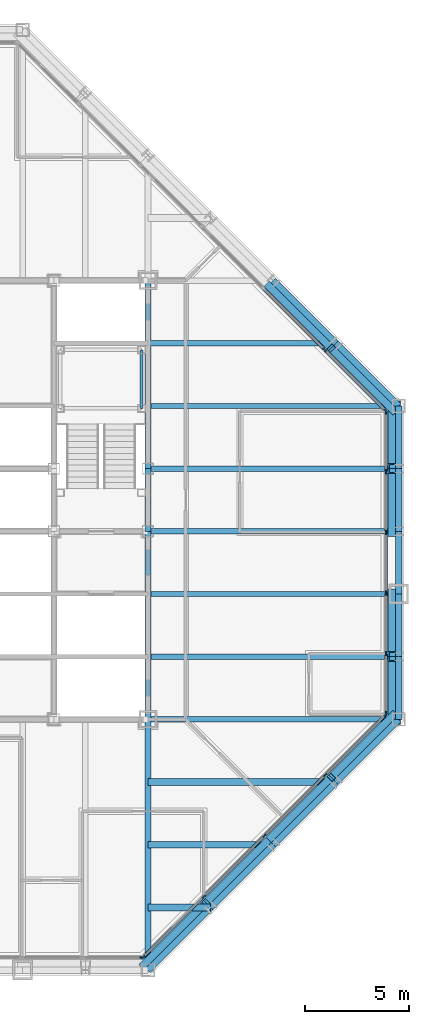
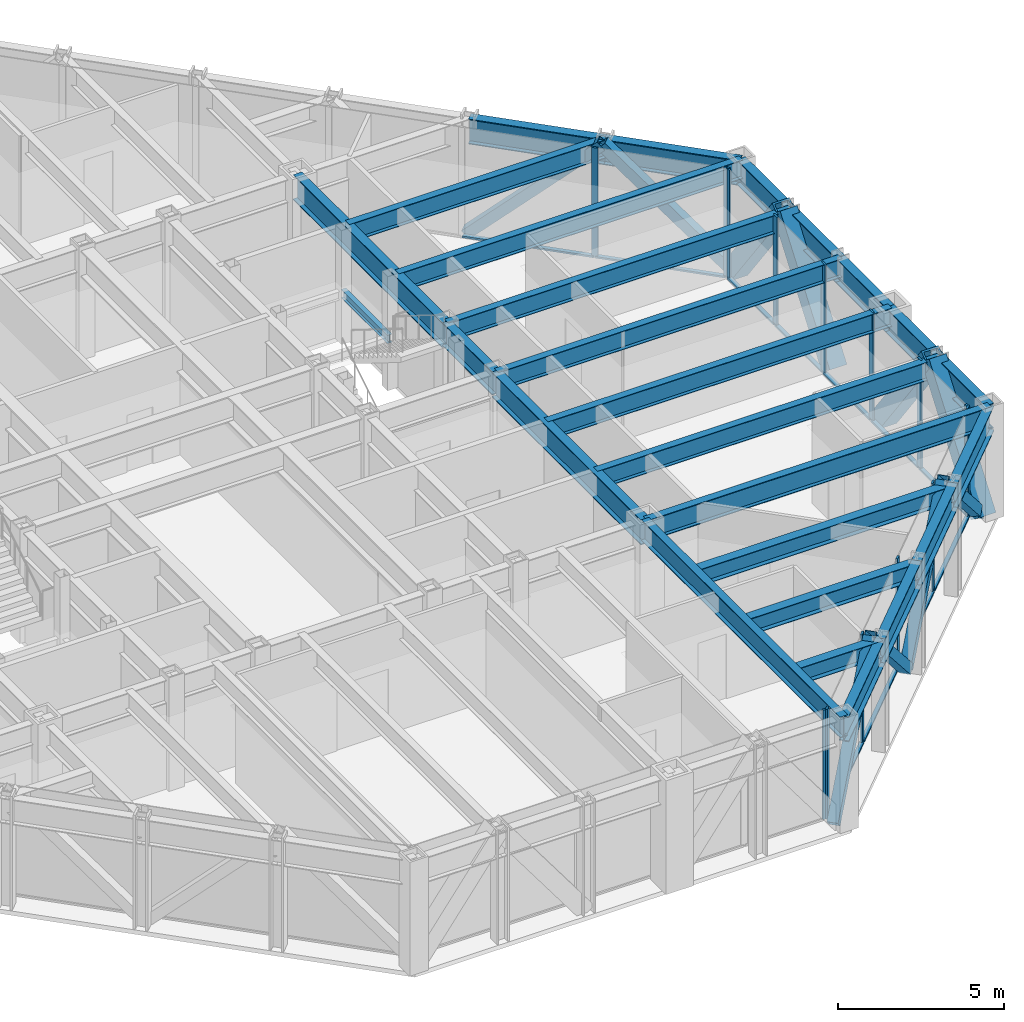
# One storey, part 7 of 16: 35 members, 26 beams, 4 elements without a shape of their own.
"""IFC4 building model written with IfcOpenShell, lengths in metres."""

from ifc_helpers import new_model, si_unit, direction, frame, origin, origin_2d, place, context, subcontext, project, spatial, rectangle, hollow_rectangle, i_section, extrude, material, layer, layer_set, material_profile, profile_set, type_object, element, aggregate, save


model = new_model("IFC4")

# Units and contexts
model_context = context("Model", 3, precision=1e-05, world=origin(), true_north=direction((0.0, 1.0)))
body_context = subcontext(model_context, "Body", "Model", "MODEL_VIEW")
ifc_project = project(units=[si_unit("LENGTHUNIT", "METRE"), si_unit("AREAUNIT", "SQUARE_METRE"), si_unit("VOLUMEUNIT", "CUBIC_METRE"), si_unit("PLANEANGLEUNIT", "RADIAN"), si_unit("MASSUNIT", "GRAM", prefix="KILO")], contexts=[model_context])

# Site, building, storey
site_placement = place(None, origin())
site = spatial("IfcSite", under=ifc_project, at=site_placement, CompositionType="ELEMENT")
building_placement = place(site_placement, origin())
building = spatial("IfcBuilding", under=site, at=building_placement, Name="Chuquiago Exchange Tower", CompositionType="ELEMENT")
storey_placement = place(building_placement, frame((0.0, 0.0, 234.89990234375)))
storey = spatial("IfcBuildingStorey", under=building, at=storey_placement, Name="L52", CompositionType="ELEMENT", Elevation=234.89990234375)

# Beams
ifc_material_1 = material(Name="Steel ASTM A992", Category="steel")
ifc_material_profile_1 = material_profile(ifc_material_1, i_section(OverallWidth=0.25390625, OverallDepth=0.683349609375, WebThickness=0.012451171875, FlangeThickness=0.018798828125, at=origin_2d()), Name="W27X94")
ifc_profile_set_1 = profile_set([ifc_material_profile_1], Name="Steel ASTM A992")
beam_type_1 = type_object("IfcBeamType", Name="B1 W27X94", PredefinedType="BEAM", material=ifc_profile_set_1)
for number, where, z_axis, x_axis, name in (
    (1, (33.0, 15.0, 3.698486328125), (1.0, 0.0, 0.0), (0.0, 1.0, 0.0), "FB-L53-infill-33_15-45_15-0"),
    (2, (33.0, 18.0, 3.698486328125), (1.0, 0.0, 0.0), (0.0, 1.0, 0.0), "FB-L53-infill-33_18-45_18-0"),
    (3, (33.0, 21.0, 3.698486328125), (1.0, 0.0, 0.0), (0.0, 1.0, 0.0), "FB-L53-infill-33_21-45_21-0"),
    (4, (33.0, 24.0, 3.698486328125), (1.0, 0.0, 0.0), (0.0, 1.0, 0.0), "FB-L53-infill-33_24-45_24-0"),
    (5, (33.0, 27.0, 3.698486328125), (1.0, 0.0, 0.0), (0.0, 1.0, 0.0), "FB-L53-infill-33_27-45_27-0"),
):
    element("IfcBeam", number, at=place(storey_placement, frame(where, z_axis=z_axis, x_axis=x_axis)), inside=storey, type_object=beam_type_1, Name=name, PredefinedType="BEAM", context=body_context, shape_type="SweptSolid", body=[
        extrude(i_section(OverallWidth=0.25390625, OverallDepth=0.683349609375, WebThickness=0.012451171875, FlangeThickness=0.018798828125, at=origin_2d()), origin(), (0.0, 0.0, 1.0), 12.0),
    ])
beam_1_placement = place(storey_placement, frame((33.0, 30.0, 3.698486328125), z_axis=(1.0, 0.0, 0.0), x_axis=(0.0, 1.0, 0.0)))
element("IfcBeam", 6, at=beam_1_placement, inside=storey, type_object=beam_type_1, Name="FB-L53-infill-33_30-42_30-0", PredefinedType="BEAM", context=body_context, shape_type="SweptSolid", body=[
    extrude(i_section(OverallWidth=0.25390625, OverallDepth=0.683349609375, WebThickness=0.012451171875, FlangeThickness=0.018798828125, at=origin_2d()), origin(), (0.0, 0.0, 1.0), 9.0),
])
ifc_material_2 = material(Name="Steel ASTM A992", Category="steel")
ifc_material_profile_2 = material_profile(ifc_material_2, i_section(OverallWidth=0.307373046875, OverallDepth=0.927001953125, WebThickness=0.01953125, FlangeThickness=0.031982421875, at=origin_2d()), Name="W36X194")
ifc_profile_set_2 = profile_set([ifc_material_profile_2], Name="Steel ASTM A992")
beam_type_2 = type_object("IfcBeamType", Name="B10 W36X194", PredefinedType="BEAM", material=ifc_profile_set_2)
for number, where, z_axis, x_axis, name in (
    (7, (33.0, 12.0, 3.576416015625), (0.0, 1.0, 0.0), (-1.0, 0.0, 0.0), "CB-L53-33_12-33_21"),
    (8, (33.0, 24.0, 3.576416015625), (0.0, 1.0, 0.0), (-1.0, 0.0, 0.0), "CB-L53-33_24-33_33"),
):
    element("IfcBeam", number, at=place(storey_placement, frame(where, z_axis=z_axis, x_axis=x_axis)), inside=storey, type_object=beam_type_2, Name=name, PredefinedType="BEAM", context=body_context, shape_type="SweptSolid", body=[
        extrude(i_section(OverallWidth=0.307373046875, OverallDepth=0.927001953125, WebThickness=0.01953125, FlangeThickness=0.031982421875, at=origin_2d()), origin(), (0.0, 0.0, 1.0), 9.0),
    ])
ifc_material_3 = material(Name="Steel ASTM A992", Category="steel")
ifc_material_profile_3 = material_profile(ifc_material_3, i_section(OverallWidth=0.3251953125, OverallDepth=0.612060546875, WebThickness=0.0126953125, FlangeThickness=0.01904296875, at=origin_2d()), Name="W24X104")
ifc_profile_set_3 = profile_set([ifc_material_profile_3], Name="Steel ASTM A992")
beam_type_3 = type_object("IfcBeamType", Name="B2 W24X104", PredefinedType="BEAM", material=ifc_profile_set_3)
beam_2_placement = place(storey_placement, frame((33.0, 3.0, 3.73388671875), z_axis=(1.0, 0.0, 0.0), x_axis=(0.0, 1.0, 0.0)))
element("IfcBeam", 9, at=beam_2_placement, inside=storey, type_object=beam_type_3, Name="FB-L53-corner-33_3-36_3-0", PredefinedType="BEAM", context=body_context, shape_type="SweptSolid", body=[
    extrude(i_section(OverallWidth=0.3251953125, OverallDepth=0.612060546875, WebThickness=0.0126953125, FlangeThickness=0.01904296875, at=origin_2d()), origin(), (0.0, 0.0, 1.0), 3.0),
])
beam_3_placement = place(storey_placement, frame((33.0, 6.0, 3.73388671875), z_axis=(1.0, 0.0, 0.0), x_axis=(0.0, 1.0, 0.0)))
element("IfcBeam", 10, at=beam_3_placement, inside=storey, type_object=beam_type_3, Name="FB-L53-corner-33_6-39_6-0", PredefinedType="BEAM", context=body_context, shape_type="SweptSolid", body=[
    extrude(i_section(OverallWidth=0.3251953125, OverallDepth=0.612060546875, WebThickness=0.0126953125, FlangeThickness=0.01904296875, at=origin_2d()), origin(), (0.0, 0.0, 1.0), 6.0),
])
beam_4_placement = place(storey_placement, frame((33.0, 9.0, 3.73388671875), z_axis=(1.0, 0.0, 0.0), x_axis=(0.0, 1.0, 0.0)))
element("IfcBeam", 11, at=beam_4_placement, inside=storey, type_object=beam_type_3, Name="FB-L53-corner-33_9-42_9-0", PredefinedType="BEAM", context=body_context, shape_type="SweptSolid", body=[
    extrude(i_section(OverallWidth=0.3251953125, OverallDepth=0.612060546875, WebThickness=0.0126953125, FlangeThickness=0.01904296875, at=origin_2d()), origin(), (0.0, 0.0, 1.0), 9.0),
])
ifc_material_4 = material(Name="Steel ASTM A992", Category="steel")
ifc_material_profile_4 = material_profile(ifc_material_4, i_section(OverallWidth=0.2919921875, OverallDepth=0.8583984375, WebThickness=0.01708984375, FlangeThickness=0.031005859375, at=origin_2d()), Name="W33X169")
ifc_profile_set_4 = profile_set([ifc_material_profile_4], Name="Steel ASTM A992")
beam_type_4 = type_object("IfcBeamType", Name="B3 W33X169", PredefinedType="BEAM", material=ifc_profile_set_4)
beam_5_placement = place(storey_placement, frame((33.0, 21.0, 3.61083984375), z_axis=(0.0, 1.0, 0.0), x_axis=(-1.0, 0.0, 0.0)))
element("IfcBeam", 12, at=beam_5_placement, inside=storey, type_object=beam_type_4, Name="CB-L53-33_21-33_24", PredefinedType="BEAM", context=body_context, shape_type="SweptSolid", body=[
    extrude(i_section(OverallWidth=0.2919921875, OverallDepth=0.8583984375, WebThickness=0.01708984375, FlangeThickness=0.031005859375, at=origin_2d()), origin(), (0.0, 0.0, 1.0), 3.0),
])

# Curtain wall, member
ifc_material_5 = material(Name="Aluminium curtain wall system", Category="aluminium")
ifc_layer_1 = layer(ifc_material_5, 0.22509765625)
ifc_layer_set_1 = layer_set([ifc_layer_1], Name="CW2 office curtain wall")
curtain_wall_type_1 = type_object("IfcCurtainWallType", Name="CW2 office curtain wall", PredefinedType="NOTDEFINED", material=ifc_layer_set_1)
curtain_wall_1_placement = place(storey_placement, origin())
curtain_wall_1 = element("IfcCurtainWall", 13, at=curtain_wall_1_placement, inside=storey, type_object=curtain_wall_type_1, Name="CW2 curtain wall L52", PredefinedType="NOTDEFINED")
ifc_material_6 = material(Name="Aluminium mullion, pale anodised", Category="aluminium")
ifc_material_profile_5 = material_profile(ifc_material_6, rectangle(XDim=0.06494140625, YDim=0.22509765625, at=origin_2d()), Name="AL 65x225")
ifc_profile_set_5 = profile_set([ifc_material_profile_5], Name="Aluminium mullion, pale anodised")
member_type_1 = type_object("IfcMemberType", Name="CW2-M mullion 65x225", PredefinedType="MULLION", material=ifc_profile_set_5)
member_1_placement = place(storey_placement, frame((32.718994140625, 0.60009765625, 0.0), z_axis=(0.0, 0.0, 1.0), x_axis=(0.0, 1.0, 0.0)))
member_1 = element("IfcMember", 14, at=member_1_placement, type_object=member_type_1, Name="CW2 mullion 6", PredefinedType="MULLION", context=body_context, shape_type="SweptSolid", body=[
    extrude(rectangle(XDim=0.06494140625, YDim=0.22509765625, at=origin_2d()), origin(), (0.0, 0.0, 1.0), 4.0400390625),
])
aggregate(curtain_wall_1, [member_1])

# Curtain wall, members
curtain_wall_2_placement = place(storey_placement, origin())
curtain_wall_2 = element("IfcCurtainWall", 15, at=curtain_wall_2_placement, inside=storey, type_object=curtain_wall_type_1, Name="CW2 curtain wall L52", PredefinedType="NOTDEFINED")
member_2_placement = place(storey_placement, frame((44.39990234375, 12.281005859375, 0.0), z_axis=(0.0, 0.0, 1.0), x_axis=(-1.0, 0.0, 0.0)))
member_2 = element("IfcMember", 16, at=member_2_placement, type_object=member_type_1, Name="CW2 mullion 1", PredefinedType="MULLION", context=body_context, shape_type="SweptSolid", body=[
    extrude(rectangle(XDim=0.06494140625, YDim=0.22509765625, at=origin_2d()), origin(), (0.0, 0.0, 1.0), 4.0400390625),
])
member_3_placement = place(storey_placement, frame((44.39990234375, 15.149169921875, 0.0), z_axis=(0.0, 0.0, 1.0), x_axis=(-1.0, 0.0, 0.0)))
member_3 = element("IfcMember", 17, at=member_3_placement, type_object=member_type_1, Name="CW2 mullion 2", PredefinedType="MULLION", context=body_context, shape_type="SweptSolid", body=[
    extrude(rectangle(XDim=0.06494140625, YDim=0.22509765625, at=origin_2d()), origin(), (0.0, 0.0, 1.0), 4.0400390625),
])
member_4_placement = place(storey_placement, frame((44.39990234375, 18.0498046875, 0.0), z_axis=(0.0, 0.0, 1.0), x_axis=(-1.0, 0.0, 0.0)))
member_4 = element("IfcMember", 18, at=member_4_placement, type_object=member_type_1, Name="CW2 mullion 3", PredefinedType="MULLION", context=body_context, shape_type="SweptSolid", body=[
    extrude(rectangle(XDim=0.06494140625, YDim=0.22509765625, at=origin_2d()), origin(), (0.0, 0.0, 1.0), 4.0400390625),
])
member_5_placement = place(storey_placement, frame((44.39990234375, 20.9501953125, 0.0), z_axis=(0.0, 0.0, 1.0), x_axis=(-1.0, 0.0, 0.0)))
member_5 = element("IfcMember", 19, at=member_5_placement, type_object=member_type_1, Name="CW2 mullion 4", PredefinedType="MULLION", context=body_context, shape_type="SweptSolid", body=[
    extrude(rectangle(XDim=0.06494140625, YDim=0.22509765625, at=origin_2d()), origin(), (0.0, 0.0, 1.0), 4.0400390625),
])
member_6_placement = place(storey_placement, frame((44.39990234375, 23.850830078125, 0.0), z_axis=(0.0, 0.0, 1.0), x_axis=(-1.0, 0.0, 0.0)))
member_6 = element("IfcMember", 20, at=member_6_placement, type_object=member_type_1, Name="CW2 mullion 5", PredefinedType="MULLION", context=body_context, shape_type="SweptSolid", body=[
    extrude(rectangle(XDim=0.06494140625, YDim=0.22509765625, at=origin_2d()), origin(), (0.0, 0.0, 1.0), 4.0400390625),
])
member_7_placement = place(storey_placement, frame((44.39990234375, 26.718994140625, 0.0), z_axis=(0.0, 0.0, 1.0), x_axis=(-1.0, 0.0, 0.0)))
member_7 = element("IfcMember", 21, at=member_7_placement, type_object=member_type_1, Name="CW2 mullion 6", PredefinedType="MULLION", context=body_context, shape_type="SweptSolid", body=[
    extrude(rectangle(XDim=0.06494140625, YDim=0.22509765625, at=origin_2d()), origin(), (0.0, 0.0, 1.0), 4.0400390625),
])
ifc_material_7 = material(Name="Aluminium transom, pale anodised", Category="aluminium")
ifc_material_profile_6 = material_profile(ifc_material_7, rectangle(XDim=0.139892578125, YDim=0.06494140625, at=origin_2d()), Name="AL 140x65")
ifc_profile_set_6 = profile_set([ifc_material_profile_6], Name="Aluminium transom, pale anodised")
member_type_2 = type_object("IfcMemberType", Name="CW2-T transom 65x140", PredefinedType="MULLION", material=ifc_profile_set_6)
member_8_placement = place(storey_placement, frame((44.39990234375, 12.3134765625, 0.03271484375), z_axis=(0.0, 1.0, 0.0), x_axis=(-1.0, 0.0, 0.0)))
member_8 = element("IfcMember", 22, at=member_8_placement, type_object=member_type_2, Name="CW2 transom 1.1", PredefinedType="MULLION", context=body_context, shape_type="SweptSolid", body=[
    extrude(rectangle(XDim=0.139892578125, YDim=0.06494140625, at=origin_2d()), origin(), (0.0, 0.0, 1.0), 2.80322265625),
])
member_9_placement = place(storey_placement, frame((44.39990234375, 15.181640625, 0.03271484375), z_axis=(0.0, 1.0, 0.0), x_axis=(-1.0, 0.0, 0.0)))
member_9 = element("IfcMember", 23, at=member_9_placement, type_object=member_type_2, Name="CW2 transom 2.1", PredefinedType="MULLION", context=body_context, shape_type="SweptSolid", body=[
    extrude(rectangle(XDim=0.139892578125, YDim=0.06494140625, at=origin_2d()), origin(), (0.0, 0.0, 1.0), 2.83544921875),
])
member_10_placement = place(storey_placement, frame((44.39990234375, 18.082275390625, 0.03271484375), z_axis=(0.0, 1.0, 0.0), x_axis=(-1.0, 0.0, 0.0)))
member_10 = element("IfcMember", 24, at=member_10_placement, type_object=member_type_2, Name="CW2 transom 3.1", PredefinedType="MULLION", context=body_context, shape_type="SweptSolid", body=[
    extrude(rectangle(XDim=0.139892578125, YDim=0.06494140625, at=origin_2d()), origin(), (0.0, 0.0, 1.0), 2.83544921875),
])
member_11_placement = place(storey_placement, frame((44.39990234375, 20.98291015625, 0.03271484375), z_axis=(0.0, 1.0, 0.0), x_axis=(-1.0, 0.0, 0.0)))
member_11 = element("IfcMember", 25, at=member_11_placement, type_object=member_type_2, Name="CW2 transom 4.1", PredefinedType="MULLION", context=body_context, shape_type="SweptSolid", body=[
    extrude(rectangle(XDim=0.139892578125, YDim=0.06494140625, at=origin_2d()), origin(), (0.0, 0.0, 1.0), 2.83544921875),
])
member_12_placement = place(storey_placement, frame((44.39990234375, 23.88330078125, 0.03271484375), z_axis=(0.0, 1.0, 0.0), x_axis=(-1.0, 0.0, 0.0)))
member_12 = element("IfcMember", 26, at=member_12_placement, type_object=member_type_2, Name="CW2 transom 5.1", PredefinedType="MULLION", context=body_context, shape_type="SweptSolid", body=[
    extrude(rectangle(XDim=0.139892578125, YDim=0.06494140625, at=origin_2d()), origin(), (0.0, 0.0, 1.0), 2.80322265625),
])
aggregate(curtain_wall_2, [member_2, member_3, member_4, member_5, member_6, member_7, member_8, member_9, member_10, member_11, member_12])

ifc_material_8 = material(Name="Aluminium curtain wall system", Category="aluminium")
ifc_layer_2 = layer(ifc_material_8, 0.199951171875)
ifc_layer_set_2 = layer_set([ifc_layer_2], Name="CW3 facet curtain wall")
curtain_wall_type_2 = type_object("IfcCurtainWallType", Name="CW3 facet curtain wall", PredefinedType="NOTDEFINED", material=ifc_layer_set_2)
curtain_wall_3_placement = place(storey_placement, origin())
curtain_wall_3 = element("IfcCurtainWall", 27, at=curtain_wall_3_placement, inside=storey, type_object=curtain_wall_type_2, Name="CW3 curtain wall L52", PredefinedType="NOTDEFINED")
ifc_material_9 = material(Name="Aluminium mullion, pale anodised", Category="aluminium")
ifc_material_profile_7 = material_profile(ifc_material_9, rectangle(XDim=0.06494140625, YDim=0.199951171875, at=origin_2d()), Name="AL 65x200")
ifc_profile_set_7 = profile_set([ifc_material_profile_7], Name="Aluminium mullion, pale anodised")
member_type_3 = type_object("IfcMemberType", Name="CW3-M mullion 65x200", PredefinedType="MULLION", material=ifc_profile_set_7)
member_13_placement = place(storey_placement, frame((32.7744140625, 0.623046875, 0.0), z_axis=(0.0, 0.0, 1.0), x_axis=(-0.707106781187, 0.707106781187, 0.0)))
member_13 = element("IfcMember", 28, at=member_13_placement, type_object=member_type_3, Name="CW3 mullion 1", PredefinedType="MULLION", context=body_context, shape_type="SweptSolid", body=[
    extrude(rectangle(XDim=0.06494140625, YDim=0.199951171875, at=origin_2d()), origin(), (0.0, 0.0, 1.0), 4.0400390625),
])
member_14_placement = place(storey_placement, frame((35.66357421875, 3.51220703125, 0.0), z_axis=(0.0, 0.0, 1.0), x_axis=(-0.707106781187, 0.707106781187, 0.0)))
member_14 = element("IfcMember", 29, at=member_14_placement, type_object=member_type_3, Name="CW3 mullion 2", PredefinedType="MULLION", context=body_context, shape_type="SweptSolid", body=[
    extrude(rectangle(XDim=0.06494140625, YDim=0.199951171875, at=origin_2d()), origin(), (0.0, 0.0, 1.0), 4.0400390625),
])
member_15_placement = place(storey_placement, frame((38.57568359375, 6.42431640625, 0.0), z_axis=(0.0, 0.0, 1.0), x_axis=(-0.707106781187, 0.707106781187, 0.0)))
member_15 = element("IfcMember", 30, at=member_15_placement, type_object=member_type_3, Name="CW3 mullion 3", PredefinedType="MULLION", context=body_context, shape_type="SweptSolid", body=[
    extrude(rectangle(XDim=0.06494140625, YDim=0.199951171875, at=origin_2d()), origin(), (0.0, 0.0, 1.0), 4.0400390625),
])
member_16_placement = place(storey_placement, frame((41.48779296875, 9.33642578125, 0.0), z_axis=(0.0, 0.0, 1.0), x_axis=(-0.707106781187, 0.707106781187, 0.0)))
member_16 = element("IfcMember", 31, at=member_16_placement, type_object=member_type_3, Name="CW3 mullion 4", PredefinedType="MULLION", context=body_context, shape_type="SweptSolid", body=[
    extrude(rectangle(XDim=0.06494140625, YDim=0.199951171875, at=origin_2d()), origin(), (0.0, 0.0, 1.0), 4.0400390625),
])
member_17_placement = place(storey_placement, frame((44.376953125, 12.2255859375, 0.0), z_axis=(0.0, 0.0, 1.0), x_axis=(-0.707106781187, 0.707106781187, 0.0)))
member_17 = element("IfcMember", 32, at=member_17_placement, type_object=member_type_3, Name="CW3 mullion 5", PredefinedType="MULLION", context=body_context, shape_type="SweptSolid", body=[
    extrude(rectangle(XDim=0.06494140625, YDim=0.199951171875, at=origin_2d()), origin(), (0.0, 0.0, 1.0), 4.0400390625),
])

curtain_wall_4_placement = place(storey_placement, origin())
curtain_wall_4 = element("IfcCurtainWall", 33, at=curtain_wall_4_placement, inside=storey, type_object=curtain_wall_type_2, Name="CW3 curtain wall L52", PredefinedType="NOTDEFINED")
member_18_placement = place(storey_placement, frame((44.376953125, 26.7744140625, 0.0), z_axis=(0.0, 0.0, 1.0), x_axis=(-0.707106781187, -0.707106781187, 0.0)))
member_18 = element("IfcMember", 34, at=member_18_placement, type_object=member_type_3, Name="CW3 mullion 1", PredefinedType="MULLION", context=body_context, shape_type="SweptSolid", body=[
    extrude(rectangle(XDim=0.06494140625, YDim=0.199951171875, at=origin_2d()), origin(), (0.0, 0.0, 1.0), 4.0400390625),
])
member_19_placement = place(storey_placement, frame((41.45849609375, 29.69287109375, 0.0), z_axis=(0.0, 0.0, 1.0), x_axis=(-0.707106781187, -0.707106781187, 0.0)))
member_19 = element("IfcMember", 35, at=member_19_placement, type_object=member_type_3, Name="CW3 mullion 2", PredefinedType="MULLION", context=body_context, shape_type="SweptSolid", body=[
    extrude(rectangle(XDim=0.06494140625, YDim=0.199951171875, at=origin_2d()), origin(), (0.0, 0.0, 1.0), 4.0400390625),
])

# Member
ifc_material_10 = material(Name="Aluminium transom, pale anodised", Category="aluminium")
ifc_material_profile_8 = material_profile(ifc_material_10, rectangle(XDim=0.139892578125, YDim=0.06494140625, at=origin_2d()), Name="AL 140x65")
ifc_profile_set_8 = profile_set([ifc_material_profile_8], Name="Aluminium transom, pale anodised")
member_type_4 = type_object("IfcMemberType", Name="CW3-T transom 65x140", PredefinedType="MULLION", material=ifc_profile_set_8)
member_20_placement = place(storey_placement, frame((32.79736328125, 0.64599609375, 0.03271484375), z_axis=(0.707106781187, 0.707106781187, 0.0), x_axis=(-0.707106781187, 0.707106781187, 0.0)))
member_20 = element("IfcMember", 36, at=member_20_placement, type_object=member_type_4, Name="CW3 transom 1.1", PredefinedType="MULLION", context=body_context, shape_type="SweptSolid", body=[
    extrude(rectangle(XDim=0.139892578125, YDim=0.06494140625, at=origin_2d()), origin(), (0.0, 0.0, 1.0), 4.02099609375),
])

member_21_placement = place(storey_placement, frame((35.6865234375, 3.53515625, 0.03271484375), z_axis=(0.707106781187, 0.707106781187, 0.0), x_axis=(-0.707106781187, 0.707106781187, 0.0)))
member_21 = element("IfcMember", 37, at=member_21_placement, type_object=member_type_4, Name="CW3 transom 2.1", PredefinedType="MULLION", context=body_context, shape_type="SweptSolid", body=[
    extrude(rectangle(XDim=0.139892578125, YDim=0.06494140625, at=origin_2d()), origin(), (0.0, 0.0, 1.0), 4.053466796875),
])

member_22_placement = place(storey_placement, frame((38.5986328125, 6.447265625, 0.03271484375), z_axis=(0.707106781187, 0.707106781187, 0.0), x_axis=(-0.707106781187, 0.707106781187, 0.0)))
member_22 = element("IfcMember", 38, at=member_22_placement, type_object=member_type_4, Name="CW3 transom 3.1", PredefinedType="MULLION", context=body_context, shape_type="SweptSolid", body=[
    extrude(rectangle(XDim=0.139892578125, YDim=0.06494140625, at=origin_2d()), origin(), (0.0, 0.0, 1.0), 4.053466796875),
])

member_23_placement = place(storey_placement, frame((41.5107421875, 9.359375, 0.03271484375), z_axis=(0.707106781187, 0.707106781187, 0.0), x_axis=(-0.707106781187, 0.707106781187, 0.0)))
member_23 = element("IfcMember", 39, at=member_23_placement, type_object=member_type_4, Name="CW3 transom 4.1", PredefinedType="MULLION", context=body_context, shape_type="SweptSolid", body=[
    extrude(rectangle(XDim=0.139892578125, YDim=0.06494140625, at=origin_2d()), origin(), (0.0, 0.0, 1.0), 4.02099609375),
])

aggregate(curtain_wall_3, [member_13, member_14, member_15, member_16, member_17, member_20, member_21, member_22, member_23])

member_24_placement = place(storey_placement, frame((44.35400390625, 26.79736328125, 0.03271484375), z_axis=(-0.707106781187, 0.707106781187, 0.0), x_axis=(-0.707106781187, -0.707106781187, 0.0)))
member_24 = element("IfcMember", 40, at=member_24_placement, type_object=member_type_4, Name="CW3 transom 1.1", PredefinedType="MULLION", context=body_context, shape_type="SweptSolid", body=[
    extrude(rectangle(XDim=0.139892578125, YDim=0.06494140625, at=origin_2d()), origin(), (0.0, 0.0, 1.0), 4.0625),
])

member_25_placement = place(storey_placement, frame((41.435546875, 29.7158203125, 0.03271484375), z_axis=(-0.707106781187, 0.707106781187, 0.0), x_axis=(-0.707106781187, -0.707106781187, 0.0)))
member_25 = element("IfcMember", 41, at=member_25_placement, type_object=member_type_4, Name="CW3 transom 2.1", PredefinedType="MULLION", context=body_context, shape_type="SweptSolid", body=[
    extrude(rectangle(XDim=0.139892578125, YDim=0.06494140625, at=origin_2d()), origin(), (0.0, 0.0, 1.0), 4.094970703125),
])

aggregate(curtain_wall_4, [member_18, member_19, member_24, member_25])

# Beams
ifc_material_11 = material(Name="Steel ASTM A992", Category="steel")
ifc_material_profile_9 = material_profile(ifc_material_11, i_section(OverallWidth=0.2666015625, OverallDepth=0.76953125, WebThickness=0.015625, FlangeThickness=0.025390625, at=origin_2d()), Name="W30X132")
ifc_profile_set_9 = profile_set([ifc_material_profile_9], Name="Steel ASTM A992")
beam_type_5 = type_object("IfcBeamType", Name="G1 W30X132", PredefinedType="BEAM", material=ifc_profile_set_9)
for number, where, z_axis, x_axis, name in (
    (42, (33.0, 12.0, 3.6552734375), (0.0, -1.0, 0.0), (1.0, 0.0, 0.0), "FB-L53-girder-33_12-33_-0-0"),
    (43, (33.0, 12.0, 3.6552734375), (1.0, 0.0, 0.0), (0.0, 1.0, 0.0), "FB-L53-girder-33_12-45_12-0"),
):
    element("IfcBeam", number, at=place(storey_placement, frame(where, z_axis=z_axis, x_axis=x_axis)), inside=storey, type_object=beam_type_5, Name=name, PredefinedType="BEAM", context=body_context, shape_type="SweptSolid", body=[
        extrude(i_section(OverallWidth=0.2666015625, OverallDepth=0.76953125, WebThickness=0.015625, FlangeThickness=0.025390625, at=origin_2d()), origin(), (0.0, 0.0, 1.0), 12.0),
    ])

# Members
ifc_material_12 = material(Name="Steel ASTM A500 Grade C", Category="steel")
ifc_material_profile_10 = material_profile(ifc_material_12, hollow_rectangle(XDim=0.355712890625, YDim=0.355712890625, WallThickness=0.0146484375, at=origin_2d()), Name="HSS14X14X5/8")
ifc_profile_set_10 = profile_set([ifc_material_profile_10], Name="Steel ASTM A500 Grade C")
member_type_5 = type_object("IfcMemberType", Name="LB2 HSS14X14X5/8", PredefinedType="BRACE", material=ifc_profile_set_10)
for number, where, z_axis, x_axis, name in (
    (44, (32.7685546875, 0.2314453125, 0.0), (0.512077265487, 0.512077265487, 0.689604051861), (-0.707106781187, 0.707106781187, 0.0), "LB-L52-33_0-36_3"),
    (45, (38.7685546875, 6.2314453125, 0.0), (-0.512077265487, -0.512077265487, 0.689604051861), (0.707106781187, -0.707106781187, 0.0), "LB-L52-36_3-39_6"),
    (46, (38.7685546875, 6.2314453125, 0.0), (0.512077265487, 0.512077265487, 0.689604051861), (-0.707106781187, 0.707106781187, 0.0), "LB-L52-39_6-42_9"),
    (47, (44.7685546875, 12.2314453125, 0.0), (-0.512077265487, -0.512077265487, 0.689604051861), (0.707106781187, -0.707106781187, 0.0), "LB-L52-42_9-45_12"),
    (48, (44.7685546875, 26.7685546875, 0.0), (-0.512077265487, 0.512077265487, 0.689604051861), (-0.707106781187, -0.707106781187, 0.0), "LB-L52-45_27-42_30"),
    (49, (38.7685546875, 32.7685546875, 0.0), (0.512077265487, -0.512077265487, 0.689604051861), (0.707106781187, 0.707106781187, 0.0), "LB-L52-42_30-39_33"),
):
    element("IfcMember", number, at=place(storey_placement, frame(where, z_axis=z_axis, x_axis=x_axis)), inside=storey, type_object=member_type_5, Name=name, PredefinedType="BRACE", context=body_context, shape_type="SweptSolid", body=[
        extrude(hollow_rectangle(XDim=0.355712890625, YDim=0.355712890625, WallThickness=0.0146484375, at=origin_2d()), origin(), (0.0, 0.0, 1.0), 5.8583984375),
    ])

# Beam
ifc_material_13 = material(Name="Steel ASTM A992", Category="steel")
ifc_material_profile_11 = material_profile(ifc_material_13, i_section(OverallWidth=0.164794921875, OverallDepth=0.309814453125, WebThickness=0.005859375, FlangeThickness=0.009765625, at=origin_2d()), Name="W12X26")
ifc_profile_set_11 = profile_set([ifc_material_profile_11], Name="Steel ASTM A992")
beam_type_6 = type_object("IfcBeamType", Name="LS1 W12X26", PredefinedType="BEAM", material=ifc_profile_set_11)
beam_6_placement = place(storey_placement, frame((32.68994140625, 26.889892578125, 1.7451171875), z_axis=(0.0, 1.0, 0.0), x_axis=(-1.0, 0.0, 0.0)))
element("IfcBeam", 50, at=beam_6_placement, inside=storey, type_object=beam_type_6, Name="Stair ST2 L52 landing 1 stringer", PredefinedType="BEAM", context=body_context, shape_type="SweptSolid", body=[
    extrude(i_section(OverallWidth=0.164794921875, OverallDepth=0.309814453125, WebThickness=0.005859375, FlangeThickness=0.009765625, at=origin_2d()), origin(), (0.0, 0.0, 1.0), 2.800048828125),
])

# Members
ifc_material_14 = material(Name="Steel ASTM A572 Grade 50", Category="steel")
ifc_material_profile_12 = material_profile(ifc_material_14, hollow_rectangle(XDim=0.60009765625, YDim=0.60009765625, WallThickness=0.06005859375, at=origin_2d()), Name="BOX600X600X60")
ifc_profile_set_12 = profile_set([ifc_material_profile_12], Name="Steel ASTM A572 Grade 50")
member_type_6 = type_object("IfcMemberType", Name="MB3 BOX600X600X60", PredefinedType="BRACE", material=ifc_profile_set_12)
for number, where, z_axis, x_axis, name in (
    (51, (44.794921875, 12.0, 0.0), (0.0, 0.596173923302, 0.802855312728), (-1.0, 0.0, 0.0), "Mega diagonal L52 E face"),
    (52, (44.794921875, 18.0, 0.0), (0.0, -0.596173923302, 0.802855312728), (1.0, 0.0, 0.0), "Mega diagonal L52 E face"),
    (53, (44.794921875, 21.0, 0.0), (0.0, 0.596173923302, 0.802855312728), (-1.0, 0.0, 0.0), "Mega diagonal L52 E face"),
    (54, (44.794921875, 27.0, 0.0), (0.0, -0.596173923302, 0.802855312728), (1.0, 0.0, 0.0), "Mega diagonal L52 E face"),
):
    element("IfcMember", number, at=place(storey_placement, frame(where, z_axis=z_axis, x_axis=x_axis)), inside=storey, type_object=member_type_6, Name=name, PredefinedType="BRACE", context=body_context, shape_type="SweptSolid", body=[
        extrude(hollow_rectangle(XDim=0.60009765625, YDim=0.60009765625, WallThickness=0.06005859375, at=origin_2d()), origin(), (0.0, 0.0, 1.0), 5.031982421875),
    ])

# Beams
ifc_material_15 = material(Name="Steel ASTM A992", Category="steel")
ifc_material_profile_13 = material_profile(ifc_material_15, i_section(OverallWidth=0.307373046875, OverallDepth=0.927001953125, WebThickness=0.01953125, FlangeThickness=0.031982421875, at=origin_2d()), Name="W36X194")
ifc_profile_set_13 = profile_set([ifc_material_profile_13], Name="Steel ASTM A992")
beam_type_7 = type_object("IfcBeamType", Name="SP3 W36X194", PredefinedType="SPANDREL", material=ifc_profile_set_13)
for number, where, z_axis, x_axis, name in (
    (55, (33.0, 0.0, 3.576416015625), (0.707106781187, 0.707106781187, 0.0), (-0.707106781187, 0.707106781187, 0.0), "SPB-L53-33_0-36_3"),
    (56, (36.0, 3.0, 3.576416015625), (0.707106781187, 0.707106781187, 0.0), (-0.707106781187, 0.707106781187, 0.0), "SPB-L53-36_3-39_6"),
    (57, (39.0, 6.0, 3.576416015625), (0.707106781187, 0.707106781187, 0.0), (-0.707106781187, 0.707106781187, 0.0), "SPB-L53-39_6-42_9"),
    (58, (42.0, 9.0, 3.576416015625), (0.707106781187, 0.707106781187, 0.0), (-0.707106781187, 0.707106781187, 0.0), "SPB-L53-42_9-45_12"),
):
    element("IfcBeam", number, at=place(storey_placement, frame(where, z_axis=z_axis, x_axis=x_axis)), inside=storey, type_object=beam_type_7, Name=name, PredefinedType="SPANDREL", context=body_context, shape_type="SweptSolid", body=[
        extrude(i_section(OverallWidth=0.307373046875, OverallDepth=0.927001953125, WebThickness=0.01953125, FlangeThickness=0.031982421875, at=origin_2d()), origin(), (0.0, 0.0, 1.0), 4.24267578125),
    ])
for number, where, z_axis, x_axis, name in (
    (59, (45.0, 12.0, 3.576416015625), (0.0, 1.0, 0.0), (-1.0, 0.0, 0.0), "SPB-L53-45_12-45_15"),
    (60, (45.0, 15.0, 3.576416015625), (0.0, 1.0, 0.0), (-1.0, 0.0, 0.0), "SPB-L53-45_15-45_18"),
    (61, (45.0, 18.0, 3.576416015625), (0.0, 1.0, 0.0), (-1.0, 0.0, 0.0), "SPB-L53-45_18-45_21"),
    (62, (45.0, 21.0, 3.576416015625), (0.0, 1.0, 0.0), (-1.0, 0.0, 0.0), "SPB-L53-45_21-45_24"),
    (63, (45.0, 24.0, 3.576416015625), (0.0, 1.0, 0.0), (-1.0, 0.0, 0.0), "SPB-L53-45_24-45_27"),
):
    element("IfcBeam", number, at=place(storey_placement, frame(where, z_axis=z_axis, x_axis=x_axis)), inside=storey, type_object=beam_type_7, Name=name, PredefinedType="SPANDREL", context=body_context, shape_type="SweptSolid", body=[
        extrude(i_section(OverallWidth=0.307373046875, OverallDepth=0.927001953125, WebThickness=0.01953125, FlangeThickness=0.031982421875, at=origin_2d()), origin(), (0.0, 0.0, 1.0), 3.0),
    ])
for number, where, z_axis, x_axis, name in (
    (64, (45.0, 27.0, 3.576416015625), (-0.707106781187, 0.707106781187, 0.0), (-0.707106781187, -0.707106781187, 0.0), "SPB-L53-45_27-42_30"),
    (65, (42.0, 30.0, 3.576416015625), (-0.707106781187, 0.707106781187, 0.0), (-0.707106781187, -0.707106781187, 0.0), "SPB-L53-42_30-39_33"),
):
    element("IfcBeam", number, at=place(storey_placement, frame(where, z_axis=z_axis, x_axis=x_axis)), inside=storey, type_object=beam_type_7, Name=name, PredefinedType="SPANDREL", context=body_context, shape_type="SweptSolid", body=[
        extrude(i_section(OverallWidth=0.307373046875, OverallDepth=0.927001953125, WebThickness=0.01953125, FlangeThickness=0.031982421875, at=origin_2d()), origin(), (0.0, 0.0, 1.0), 4.24267578125),
    ])

save(model, "model.ifc")
